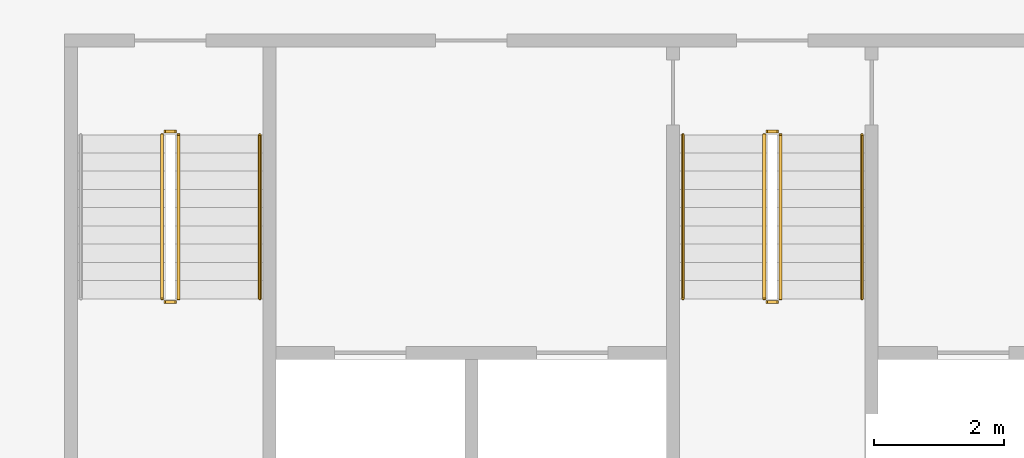
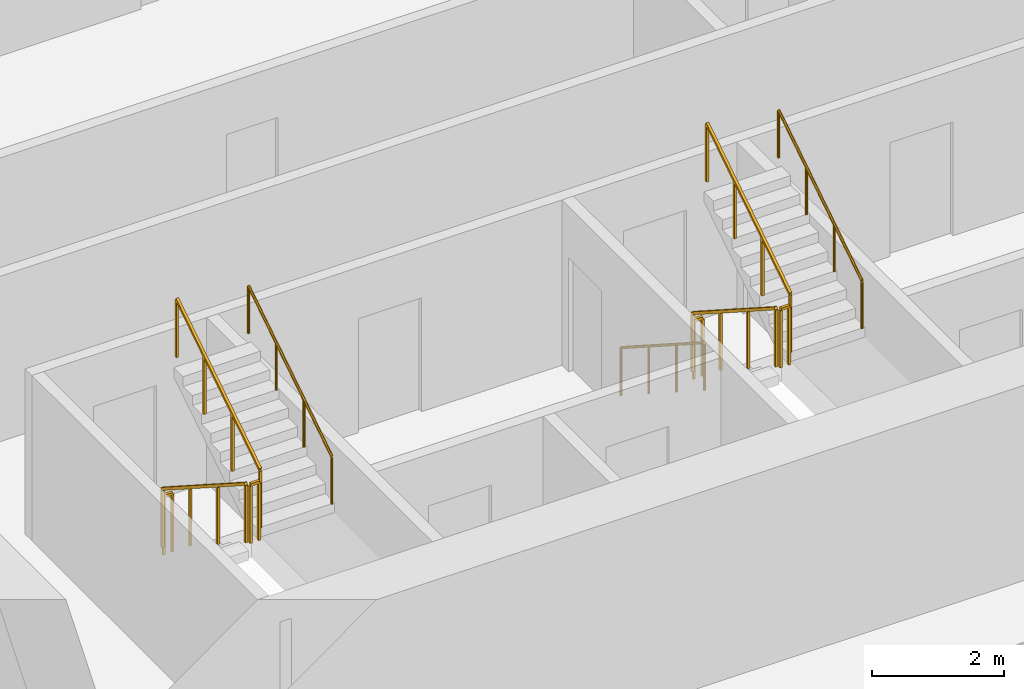
# One storey, part 12 of 14: 11 railings.
"""IFC4 building model written with IfcOpenShell, lengths in metres."""

from ifc_helpers import new_model, si_unit, direction, frame, origin, origin_2d, place, context, subcontext, project, spatial, rectangle, circle, extrude, material, type_object, element, save


model = new_model("IFC4")

# Units and contexts
model_context = context("Model", 3, precision=1e-05, world=origin(), true_north=direction((0.0, 1.0)))
body_context = subcontext(model_context, "Body", "Model", "MODEL_VIEW")
ifc_project = project(units=[si_unit("LENGTHUNIT", "METRE"), si_unit("AREAUNIT", "SQUARE_METRE"), si_unit("VOLUMEUNIT", "CUBIC_METRE"), si_unit("PLANEANGLEUNIT", "RADIAN"), si_unit("MASSUNIT", "GRAM", prefix="KILO")], contexts=[model_context])

# Site, building, storey
site_placement = place(None, origin())
site = spatial("IfcSite", under=ifc_project, at=site_placement, CompositionType="ELEMENT")
building_placement = place(site_placement, origin())
building = spatial("IfcBuilding", under=site, at=building_placement, Name="Mangrove Gate Tower", CompositionType="ELEMENT")
storey_placement = place(building_placement, frame((0.0, 0.0, 163.5)))
storey = spatial("IfcBuildingStorey", under=building, at=storey_placement, Name="L41", CompositionType="ELEMENT", Elevation=163.5)

# Railings
ifc_material_1 = material(Name="Stainless steel 316", Category="steel")
railing_type_1 = type_object("IfcRailingType", Name="Core stair guard 1100", PredefinedType="GUARDRAIL", material=ifc_material_1)
railing_1_placement = place(storey_placement, frame((-9.39990234375, -4.64990234375, 0.179931640625)))
element("IfcRailing", 1, at=railing_1_placement, inside=storey, type_object=railing_type_1, Name="L41 ST1 stair guard 1", PredefinedType="GUARDRAIL", context=body_context, shape_type="SweptSolid", body=[
    extrude(rectangle(XDim=0.048095703125, YDim=0.048095703125, at=origin_2d()), frame((0.0, 0.0, 1.076171875), z_axis=(0.0, -0.841162588446, 0.540782303519), x_axis=(1.0, 0.0, 0.0)), (0.0, 0.0, 1.0), 2.995849609375),
    extrude(rectangle(XDim=0.0419921875, YDim=0.0419921875, at=origin_2d()), origin(), (0.0, 0.0, 1.0), 1.052001953125),
    extrude(rectangle(XDim=0.0419921875, YDim=0.0419921875, at=origin_2d()), frame((0.0, -0.840087890625, 0.5400390625)), (0.0, 0.0, 1.0), 1.052001953125),
    extrude(rectangle(XDim=0.0419921875, YDim=0.0419921875, at=origin_2d()), frame((0.0, -1.679931640625, 1.080078125)), (0.0, 0.0, 1.0), 1.052001953125),
    extrude(rectangle(XDim=0.0419921875, YDim=0.0419921875, at=origin_2d()), frame((0.0, -2.52001953125, 1.6201171875)), (0.0, 0.0, 1.0), 1.052001953125),
])
railing_2_placement = place(storey_placement, frame((-9.35009765625, -7.219970703125, 1.800048828125)))
element("IfcRailing", 2, at=railing_2_placement, inside=storey, type_object=railing_type_1, Name="L41 ST1 stair guard 2", PredefinedType="GUARDRAIL", context=body_context, shape_type="SweptSolid", body=[
    extrude(rectangle(XDim=0.048095703125, YDim=0.048095703125, at=origin_2d()), frame((0.0, 0.0, 1.076171875), z_axis=(1.0, 0.0, 0.0), x_axis=(0.0, 1.0, 0.0)), (0.0, 0.0, 1.0), 0.150146484375),
    extrude(rectangle(XDim=0.0419921875, YDim=0.0419921875, at=origin_2d()), origin(), (0.0, 0.0, 1.0), 1.052001953125),
    extrude(rectangle(XDim=0.0419921875, YDim=0.0419921875, at=origin_2d()), frame((0.150146484375, 0.0, 0.0)), (0.0, 0.0, 1.0), 1.052001953125),
])
railing_3_placement = place(storey_placement, frame((-9.14990234375, -7.169921875, 1.97998046875)))
element("IfcRailing", 3, at=railing_3_placement, inside=storey, type_object=railing_type_1, Name="L41 ST1 stair guard 3", PredefinedType="GUARDRAIL", context=body_context, shape_type="SweptSolid", body=[
    extrude(rectangle(XDim=0.048095703125, YDim=0.048095703125, at=origin_2d()), frame((0.0, 0.0, 1.076171875), z_axis=(0.0, 0.841162588446, 0.540782303519), x_axis=(-1.0, 0.0, 0.0)), (0.0, 0.0, 1.0), 2.995849609375),
    extrude(rectangle(XDim=0.0419921875, YDim=0.0419921875, at=origin_2d()), origin(), (0.0, 0.0, 1.0), 1.052001953125),
    extrude(rectangle(XDim=0.0419921875, YDim=0.0419921875, at=origin_2d()), frame((0.0, 0.840087890625, 0.5400390625)), (0.0, 0.0, 1.0), 1.052001953125),
    extrude(rectangle(XDim=0.0419921875, YDim=0.0419921875, at=origin_2d()), frame((0.0, 1.679931640625, 1.080078125)), (0.0, 0.0, 1.0), 1.052001953125),
    extrude(rectangle(XDim=0.0419921875, YDim=0.0419921875, at=origin_2d()), frame((0.0, 2.52001953125, 1.6201171875)), (0.0, 0.0, 1.0), 1.052001953125),
])
railing_4_placement = place(storey_placement, frame((-9.35009765625, -4.60009765625, 0.0)))
element("IfcRailing", 4, at=railing_4_placement, inside=storey, type_object=railing_type_1, Name="L41 ST1 stair guard 4", PredefinedType="GUARDRAIL", context=body_context, shape_type="SweptSolid", body=[
    extrude(rectangle(XDim=0.048095703125, YDim=0.048095703125, at=origin_2d()), frame((0.0, 0.0, 1.076171875), z_axis=(1.0, 0.0, 0.0), x_axis=(0.0, 1.0, 0.0)), (0.0, 0.0, 1.0), 0.150146484375),
    extrude(rectangle(XDim=0.0419921875, YDim=0.0419921875, at=origin_2d()), origin(), (0.0, 0.0, 1.0), 1.052001953125),
    extrude(rectangle(XDim=0.0419921875, YDim=0.0419921875, at=origin_2d()), frame((0.150146484375, 0.0, 0.0)), (0.0, 0.0, 1.0), 1.052001953125),
])
railing_5_placement = place(storey_placement, frame((-0.14990234375, -4.64990234375, 0.179931640625)))
element("IfcRailing", 5, at=railing_5_placement, inside=storey, type_object=railing_type_1, Name="L41 ST2 stair guard 1", PredefinedType="GUARDRAIL", context=body_context, shape_type="SweptSolid", body=[
    extrude(rectangle(XDim=0.048095703125, YDim=0.048095703125, at=origin_2d()), frame((0.0, 0.0, 1.076171875), z_axis=(0.0, -0.841162588446, 0.540782303519), x_axis=(1.0, 0.0, 0.0)), (0.0, 0.0, 1.0), 2.995849609375),
    extrude(rectangle(XDim=0.0419921875, YDim=0.0419921875, at=origin_2d()), origin(), (0.0, 0.0, 1.0), 1.052001953125),
    extrude(rectangle(XDim=0.0419921875, YDim=0.0419921875, at=origin_2d()), frame((0.0, -0.840087890625, 0.5400390625)), (0.0, 0.0, 1.0), 1.052001953125),
    extrude(rectangle(XDim=0.0419921875, YDim=0.0419921875, at=origin_2d()), frame((0.0, -1.679931640625, 1.080078125)), (0.0, 0.0, 1.0), 1.052001953125),
    extrude(rectangle(XDim=0.0419921875, YDim=0.0419921875, at=origin_2d()), frame((0.0, -2.52001953125, 1.6201171875)), (0.0, 0.0, 1.0), 1.052001953125),
])
railing_6_placement = place(storey_placement, frame((-0.10009765625, -7.219970703125, 1.800048828125)))
element("IfcRailing", 6, at=railing_6_placement, inside=storey, type_object=railing_type_1, Name="L41 ST2 stair guard 2", PredefinedType="GUARDRAIL", context=body_context, shape_type="SweptSolid", body=[
    extrude(rectangle(XDim=0.048095703125, YDim=0.048095703125, at=origin_2d()), frame((0.0, 0.0, 1.076171875), z_axis=(1.0, 0.0, 0.0), x_axis=(0.0, 1.0, 0.0)), (0.0, 0.0, 1.0), 0.150146484375),
    extrude(rectangle(XDim=0.0419921875, YDim=0.0419921875, at=origin_2d()), origin(), (0.0, 0.0, 1.0), 1.052001953125),
    extrude(rectangle(XDim=0.0419921875, YDim=0.0419921875, at=origin_2d()), frame((0.150146484375, 0.0, 0.0)), (0.0, 0.0, 1.0), 1.052001953125),
])
railing_7_placement = place(storey_placement, frame((0.10009765625, -7.169921875, 1.97998046875)))
element("IfcRailing", 7, at=railing_7_placement, inside=storey, type_object=railing_type_1, Name="L41 ST2 stair guard 3", PredefinedType="GUARDRAIL", context=body_context, shape_type="SweptSolid", body=[
    extrude(rectangle(XDim=0.048095703125, YDim=0.048095703125, at=origin_2d()), frame((0.0, 0.0, 1.076171875), z_axis=(0.0, 0.841162588446, 0.540782303519), x_axis=(-1.0, 0.0, 0.0)), (0.0, 0.0, 1.0), 2.995849609375),
    extrude(rectangle(XDim=0.0419921875, YDim=0.0419921875, at=origin_2d()), origin(), (0.0, 0.0, 1.0), 1.052001953125),
    extrude(rectangle(XDim=0.0419921875, YDim=0.0419921875, at=origin_2d()), frame((0.0, 0.840087890625, 0.5400390625)), (0.0, 0.0, 1.0), 1.052001953125),
    extrude(rectangle(XDim=0.0419921875, YDim=0.0419921875, at=origin_2d()), frame((0.0, 1.679931640625, 1.080078125)), (0.0, 0.0, 1.0), 1.052001953125),
    extrude(rectangle(XDim=0.0419921875, YDim=0.0419921875, at=origin_2d()), frame((0.0, 2.52001953125, 1.6201171875)), (0.0, 0.0, 1.0), 1.052001953125),
])
railing_8_placement = place(storey_placement, frame((-0.10009765625, -4.60009765625, 0.0)))
element("IfcRailing", 8, at=railing_8_placement, inside=storey, type_object=railing_type_1, Name="L41 ST2 stair guard 4", PredefinedType="GUARDRAIL", context=body_context, shape_type="SweptSolid", body=[
    extrude(rectangle(XDim=0.048095703125, YDim=0.048095703125, at=origin_2d()), frame((0.0, 0.0, 1.076171875), z_axis=(1.0, 0.0, 0.0), x_axis=(0.0, 1.0, 0.0)), (0.0, 0.0, 1.0), 0.150146484375),
    extrude(rectangle(XDim=0.0419921875, YDim=0.0419921875, at=origin_2d()), origin(), (0.0, 0.0, 1.0), 1.052001953125),
    extrude(rectangle(XDim=0.0419921875, YDim=0.0419921875, at=origin_2d()), frame((0.150146484375, 0.0, 0.0)), (0.0, 0.0, 1.0), 1.052001953125),
])
ifc_material_2 = material(Name="Stainless steel 316", Category="steel")
railing_type_2 = type_object("IfcRailingType", Name="Core stair handrail 900", PredefinedType="HANDRAIL", material=ifc_material_2)
railing_9_placement = place(storey_placement, frame((-7.89990234375, -7.169921875, 1.97998046875)))
element("IfcRailing", 9, at=railing_9_placement, inside=storey, type_object=railing_type_2, Name="L41 ST1 stair handrail 2", PredefinedType="HANDRAIL", context=body_context, shape_type="SweptSolid", body=[
    extrude(circle(Radius=0.02392578125, at=origin_2d()), frame((0.0, 0.0, 0.8759765625), z_axis=(0.0, 0.841162588446, 0.540782303519), x_axis=(-1.0, 0.0, 0.0)), (0.0, 0.0, 1.0), 2.995849609375),
    extrude(circle(Radius=0.02099609375, at=origin_2d()), origin(), (0.0, 0.0, 1.0), 0.851806640625),
    extrude(circle(Radius=0.02099609375, at=origin_2d()), frame((0.0, 0.840087890625, 0.5400390625)), (0.0, 0.0, 1.0), 0.851806640625),
    extrude(circle(Radius=0.02099609375, at=origin_2d()), frame((0.0, 1.679931640625, 1.080078125)), (0.0, 0.0, 1.0), 0.851806640625),
    extrude(circle(Radius=0.02099609375, at=origin_2d()), frame((0.0, 2.52001953125, 1.6201171875)), (0.0, 0.0, 1.0), 0.851806640625),
])
railing_10_placement = place(storey_placement, frame((-1.39990234375, -4.64990234375, 0.179931640625)))
element("IfcRailing", 10, at=railing_10_placement, inside=storey, type_object=railing_type_2, Name="L41 ST2 stair handrail 1", PredefinedType="HANDRAIL", context=body_context, shape_type="SweptSolid", body=[
    extrude(circle(Radius=0.02392578125, at=origin_2d()), frame((0.0, 0.0, 0.8759765625), z_axis=(0.0, -0.841162588446, 0.540782303519), x_axis=(1.0, 0.0, 0.0)), (0.0, 0.0, 1.0), 2.995849609375),
    extrude(circle(Radius=0.02099609375, at=origin_2d()), origin(), (0.0, 0.0, 1.0), 0.851806640625),
    extrude(circle(Radius=0.02099609375, at=origin_2d()), frame((0.0, -0.840087890625, 0.5400390625)), (0.0, 0.0, 1.0), 0.851806640625),
    extrude(circle(Radius=0.02099609375, at=origin_2d()), frame((0.0, -1.679931640625, 1.080078125)), (0.0, 0.0, 1.0), 0.851806640625),
    extrude(circle(Radius=0.02099609375, at=origin_2d()), frame((0.0, -2.52001953125, 1.6201171875)), (0.0, 0.0, 1.0), 0.851806640625),
])
railing_11_placement = place(storey_placement, frame((1.35009765625, -7.169921875, 1.97998046875)))
element("IfcRailing", 11, at=railing_11_placement, inside=storey, type_object=railing_type_2, Name="L41 ST2 stair handrail 2", PredefinedType="HANDRAIL", context=body_context, shape_type="SweptSolid", body=[
    extrude(circle(Radius=0.02392578125, at=origin_2d()), frame((0.0, 0.0, 0.8759765625), z_axis=(0.0, 0.841162588446, 0.540782303519), x_axis=(-1.0, 0.0, 0.0)), (0.0, 0.0, 1.0), 2.995849609375),
    extrude(circle(Radius=0.02099609375, at=origin_2d()), origin(), (0.0, 0.0, 1.0), 0.851806640625),
    extrude(circle(Radius=0.02099609375, at=origin_2d()), frame((0.0, 0.840087890625, 0.5400390625)), (0.0, 0.0, 1.0), 0.851806640625),
    extrude(circle(Radius=0.02099609375, at=origin_2d()), frame((0.0, 1.679931640625, 1.080078125)), (0.0, 0.0, 1.0), 0.851806640625),
    extrude(circle(Radius=0.02099609375, at=origin_2d()), frame((0.0, 2.52001953125, 1.6201171875)), (0.0, 0.0, 1.0), 0.851806640625),
])

save(model, "model.ifc")
